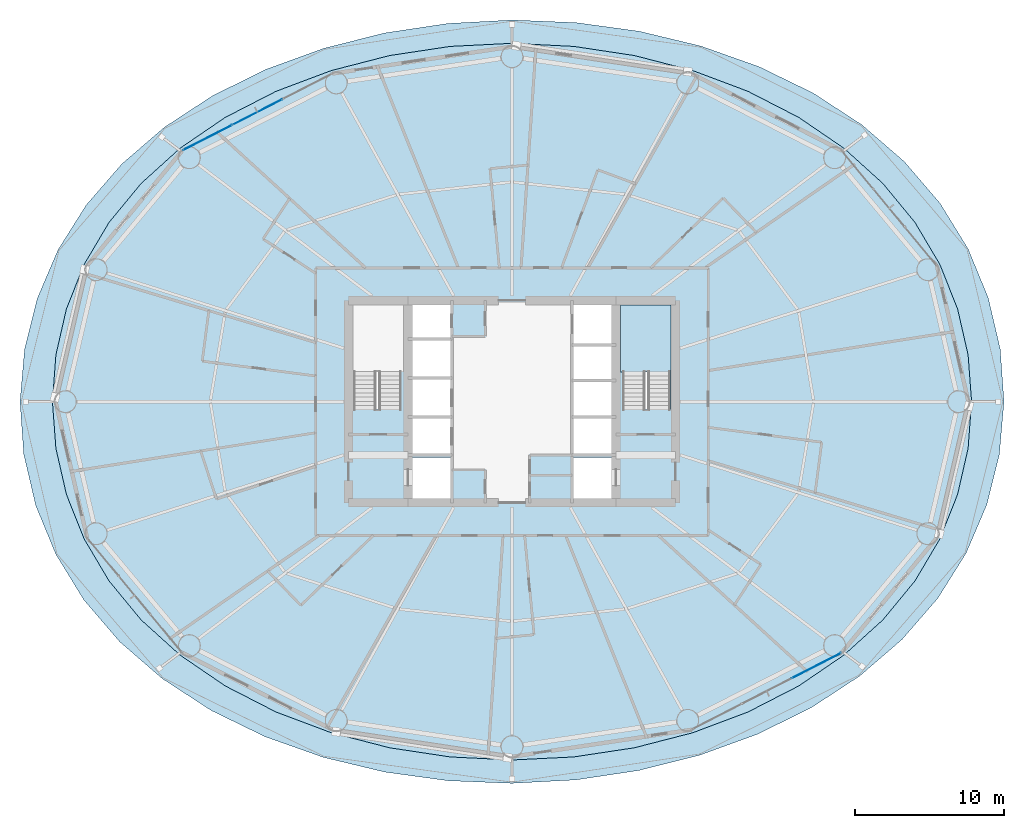
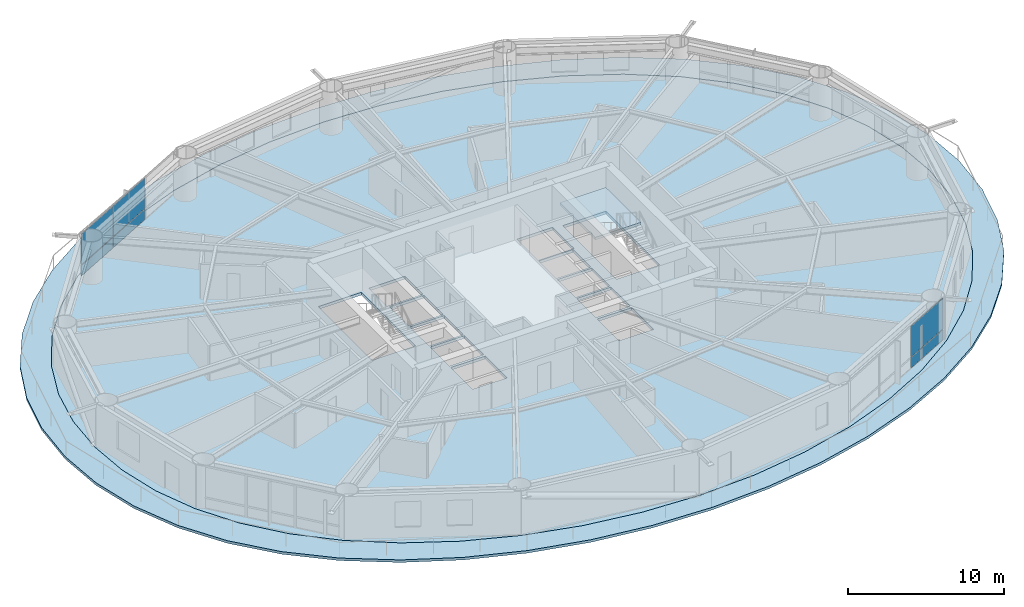
# One storey, part 17 of 26: 6 plates, 3 slabs, 3 elements without a shape of their own.
"""IFC4 building model written with IfcOpenShell, lengths in metres."""

from ifc_helpers import new_model, si_unit, direction, frame, origin, origin_2d, place, context, subcontext, project, spatial, polyline, rectangle, outline, extrude, material, layer, layer_set, type_object, element, aggregate, save


model = new_model("IFC4")

# Units and contexts
model_context = context("Model", 3, precision=1e-05, world=origin(), true_north=direction((0.0, 1.0)))
body_context = subcontext(model_context, "Body", "Model", "MODEL_VIEW")
ifc_project = project(units=[si_unit("LENGTHUNIT", "METRE"), si_unit("AREAUNIT", "SQUARE_METRE"), si_unit("VOLUMEUNIT", "CUBIC_METRE"), si_unit("PLANEANGLEUNIT", "RADIAN"), si_unit("MASSUNIT", "GRAM", prefix="KILO")], contexts=[model_context])

# Site, building, storey
site_placement = place(None, origin())
site = spatial("IfcSite", under=ifc_project, at=site_placement, CompositionType="ELEMENT")
building_placement = place(site_placement, origin())
building = spatial("IfcBuilding", under=site, at=building_placement, Name="Sarneth Arch Tower", CompositionType="ELEMENT")
storey_placement = place(building_placement, frame((0.0, 0.0, 64.199951171875)))
storey = spatial("IfcBuildingStorey", under=building, at=storey_placement, Name="L15", CompositionType="ELEMENT", Elevation=64.199951171875)

# Curtain wall, plates
ifc_material_1 = material(Name="Anodised aluminium Type AA25 and solar-control low-e laminated IGU", Category="aluminium")
ifc_layer_1 = layer(ifc_material_1, 0.159912109375)
ifc_layer_set_1 = layer_set([ifc_layer_1], Name="Anodised aluminium Type AA25 and solar-control low-e laminated IGU")
curtain_wall_type = type_object("IfcCurtainWallType", Name="CW-HOTEL-LOW", PredefinedType="NOTDEFINED", material=ifc_layer_set_1)
curtain_wall_1_placement = place(storey_placement, origin())
curtain_wall_1 = element("IfcCurtainWall", 1, at=curtain_wall_1_placement, inside=storey, type_object=curtain_wall_type, Name="L15 Unitised curtain wall facet 06", PredefinedType="NOTDEFINED")
ifc_material_2 = material(Name="Solar-control low-e laminated IGU", Category="glass")
ifc_layer_2 = layer(ifc_material_2, 0.028076171875)
ifc_layer_set_2 = layer_set([ifc_layer_2], Name="Solar-control low-e laminated IGU")
plate_type = type_object("IfcPlateType", Name="CW-PANEL", PredefinedType="CURTAIN_PANEL", material=ifc_layer_set_2)
plate_1_placement = place(storey_placement, frame((30.8740234375, 61.473876953125, 0.06005859375), z_axis=(0.0, 0.0, 1.0), x_axis=(-0.889854100456, -0.456245197127, 0.0)))
plate_1 = element("IfcPlate", 2, at=plate_1_placement, type_object=plate_type, Name="Curtain wall glazed vision pane CW-L15-F06/P01-00", PredefinedType="CURTAIN_PANEL", context=body_context, shape_type="SweptSolid", body=[
    extrude(rectangle(XDim=3.721923828125, YDim=0.028076171875, at=origin_2d()), origin(), (0.0, 0.0, 1.0), 0.81005859375),
])
plate_2_placement = place(storey_placement, frame((30.8740234375, 61.473876953125, 0.93017578125), z_axis=(0.0, 0.0, 1.0), x_axis=(-0.889854100456, -0.456245197127, 0.0)))
plate_2 = element("IfcPlate", 3, at=plate_2_placement, type_object=plate_type, Name="Curtain wall glazed vision pane CW-L15-F06/P01-01", PredefinedType="CURTAIN_PANEL", context=body_context, shape_type="SweptSolid", body=[
    extrude(rectangle(XDim=3.721923828125, YDim=0.028076171875, at=origin_2d()), origin(), (0.0, 0.0, 1.0), 2.389892578125),
])
plate_3_placement = place(storey_placement, frame((27.52197265625, 59.75537109375, 0.06005859375), z_axis=(0.0, 0.0, 1.0), x_axis=(-0.889854100456, -0.456245197127, 0.0)))
plate_3 = element("IfcPlate", 4, at=plate_3_placement, type_object=plate_type, Name="Curtain wall glazed vision pane CW-L15-F06/P02-00", PredefinedType="CURTAIN_PANEL", context=body_context, shape_type="SweptSolid", body=[
    extrude(rectangle(XDim=3.69189453125, YDim=0.028076171875, at=origin_2d()), origin(), (0.0, 0.0, 1.0), 0.81005859375),
])
plate_4_placement = place(storey_placement, frame((27.52197265625, 59.75537109375, 0.93017578125), z_axis=(0.0, 0.0, 1.0), x_axis=(-0.889854100456, -0.456245197127, 0.0)))
plate_4 = element("IfcPlate", 5, at=plate_4_placement, type_object=plate_type, Name="Curtain wall glazed vision pane CW-L15-F06/P02-01", PredefinedType="CURTAIN_PANEL", context=body_context, shape_type="SweptSolid", body=[
    extrude(rectangle(XDim=3.69189453125, YDim=0.028076171875, at=origin_2d()), origin(), (0.0, 0.0, 1.0), 2.389892578125),
])
aggregate(curtain_wall_1, [plate_1, plate_2, plate_3, plate_4])

curtain_wall_2_placement = place(storey_placement, origin())
curtain_wall_2 = element("IfcCurtainWall", 6, at=curtain_wall_2_placement, inside=storey, type_object=curtain_wall_type, Name="L15 Unitised curtain wall facet 14", PredefinedType="NOTDEFINED")
plate_5_placement = place(storey_placement, frame((68.47802734375, 24.24462890625, 0.06005859375), z_axis=(0.0, 0.0, 1.0), x_axis=(0.889854100456, 0.456245197127, 0.0)))
plate_5 = element("IfcPlate", 7, at=plate_5_placement, type_object=plate_type, Name="Curtain wall glazed vision pane CW-L15-F14/P02-00", PredefinedType="CURTAIN_PANEL", context=body_context, shape_type="SweptSolid", body=[
    extrude(rectangle(XDim=3.69189453125, YDim=0.028076171875, at=origin_2d()), origin(), (0.0, 0.0, 1.0), 0.81005859375),
])
plate_6_placement = place(storey_placement, frame((68.47802734375, 24.24462890625, 0.93017578125), z_axis=(0.0, 0.0, 1.0), x_axis=(0.889854100456, 0.456245197127, 0.0)))
plate_6 = element("IfcPlate", 8, at=plate_6_placement, type_object=plate_type, Name="Curtain wall glazed vision pane CW-L15-F14/P02-01", PredefinedType="CURTAIN_PANEL", context=body_context, shape_type="SweptSolid", body=[
    extrude(rectangle(XDim=3.69189453125, YDim=0.028076171875, at=origin_2d()), origin(), (0.0, 0.0, 1.0), 2.389892578125),
])
aggregate(curtain_wall_2, [plate_5, plate_6])

# Slab
ifc_material_3 = material(Name="Concrete C50/60", Category="concrete")
ifc_layer_3 = layer(ifc_material_3, 0.199951171875)
ifc_layer_set_3 = layer_set([ifc_layer_3], Name="Concrete C50/60")
slab_type_1 = type_object("IfcSlabType", Name="SLAB-BALC-200", PredefinedType="FLOOR", material=ifc_layer_set_3)
slab_1_placement = place(storey_placement, frame((0.0, 0.0, -0.199951171875)))
element("IfcSlab", 9, at=slab_1_placement, inside=storey, type_object=slab_type_1, Name="L15 Helical balcony band slab", PredefinedType="FLOOR", context=body_context, shape_type="SweptSolid", body=[
    extrude(outline(polyline([(81.090087890625, 42.0), (80.839599609375, 45.5322265625), (80.031494140625, 48.9853515625), (78.674560546875, 52.27978515625), (76.785400390625, 55.35009765625), (74.38916015625, 58.145751953125), (71.52294921875, 60.628173828125), (68.23828125, 62.766845703125), (64.60009765625, 64.537841796875), (60.68212890625, 65.923583984375), (56.56103515625, 66.91162109375), (52.310302734375, 67.49462890625), (48.0, 67.669677734375), (43.6953125, 67.4375), (39.461181640625, 66.802734375), (35.364990234375, 65.7734375), (31.47705078125, 64.361328125), (27.869384765625, 62.5810546875), (24.61083984375, 60.45068359375), (21.760986328125, 57.9921875), (19.36669921875, 55.232177734375), (17.462646484375, 52.203125), (16.072998046875, 48.947509765625), (15.217041015625, 45.52197265625), (14.909912109375, 42.0), (15.160400390625, 38.4677734375), (15.968505859375, 35.0146484375), (17.325439453125, 31.72021484375), (19.214599609375, 28.64990234375), (21.61083984375, 25.854248046875), (24.47705078125, 23.371826171875), (27.76171875, 21.233154296875), (31.39990234375, 19.462158203125), (35.31787109375, 18.076416015625), (39.43896484375, 17.08837890625), (43.689697265625, 16.50537109375), (48.0, 16.330322265625), (52.3046875, 16.5625), (56.538818359375, 17.197265625), (60.635009765625, 18.2265625), (64.52294921875, 19.638671875), (68.130615234375, 21.4189453125), (71.38916015625, 23.54931640625), (74.239013671875, 26.0078125), (76.63330078125, 28.767822265625), (78.537353515625, 31.796875), (79.927001953125, 35.052490234375), (80.782958984375, 38.47802734375), (81.090087890625, 42.0)]), holes=[polyline([(78.90966796875, 42.0), (78.675048828125, 45.145751953125), (77.9677734375, 48.237548828125), (76.780029296875, 51.22265625), (75.10595703125, 54.050048828125), (72.94873046875, 56.671142578125), (70.32861328125, 59.041259765625), (67.2841796875, 61.119873046875), (63.8720703125, 62.87109375), (60.162109375, 64.265380859375), (56.2294921875, 65.27880859375), (52.150634765625, 65.893798828125), (48.0, 66.10009765625), (43.849365234375, 65.893798828125), (39.7705078125, 65.27880859375), (35.837890625, 64.265380859375), (32.1279296875, 62.87109375), (28.7158203125, 61.119873046875), (25.67138671875, 59.041259765625), (23.05126953125, 56.671142578125), (20.89404296875, 54.050048828125), (19.219970703125, 51.22265625), (18.0322265625, 48.237548828125), (17.324951171875, 45.145751953125), (17.09033203125, 42.0), (17.324951171875, 38.854248046875), (18.0322265625, 35.762451171875), (19.219970703125, 32.77734375), (20.89404296875, 29.949951171875), (23.05126953125, 27.328857421875), (25.67138671875, 24.958740234375), (28.7158203125, 22.880126953125), (32.1279296875, 21.12890625), (35.837890625, 19.734619140625), (39.7705078125, 18.72119140625), (43.849365234375, 18.106201171875), (48.0, 17.89990234375), (52.150634765625, 18.106201171875), (56.2294921875, 18.72119140625), (60.162109375, 19.734619140625), (63.8720703125, 21.12890625), (67.2841796875, 22.880126953125), (70.32861328125, 24.958740234375), (72.94873046875, 27.328857421875), (75.10595703125, 29.949951171875), (76.780029296875, 32.77734375), (77.9677734375, 35.762451171875), (78.675048828125, 38.854248046875), (78.90966796875, 42.0)])]), origin(), (0.0, 0.0, 1.0), 0.199951171875),
])

# Stair, slab
ifc_material_4 = material(Name="Concrete C50/60", Category="concrete")
stair_type = type_object("IfcStairType", Name="STAIR-CORE-RC", PredefinedType="HALF_TURN_STAIR", material=ifc_material_4)
stair_placement = place(storey_placement, origin())
stair = element("IfcStair", 10, at=stair_placement, inside=storey, type_object=stair_type, Name="L15 Core Exit Stair 2", PredefinedType="HALF_TURN_STAIR")
ifc_material_5 = material(Name="Concrete C50/60", Category="concrete")
ifc_layer_4 = layer(ifc_material_5, 0.199951171875)
ifc_layer_set_4 = layer_set([ifc_layer_4], Name="Concrete C50/60")
slab_type_2 = type_object("IfcSlabType", Name="SLAB-LANDING-200", PredefinedType="LANDING", material=ifc_layer_set_4)
slab_2_placement = place(storey_placement, frame((0.0, 0.0, 1.60009765625)))
slab_2 = element("IfcSlab", 11, at=slab_2_placement, type_object=slab_type_2, Name="ST-2 landing 1", PredefinedType="LANDING", context=body_context, shape_type="SweptSolid", body=[
    extrude(outline(polyline([(55.300048828125, 43.985107421875), (58.699951171875, 43.985107421875), (58.699951171875, 48.5), (55.300048828125, 48.5), (55.300048828125, 43.985107421875)])), origin(), (0.0, 0.0, 1.0), 0.199951171875),
])
aggregate(stair, [slab_2])

# Slab
ifc_material_6 = material(Name="Concrete C50/60", Category="concrete")
ifc_layer_5 = layer(ifc_material_6, 0.219970703125)
ifc_layer_set_5 = layer_set([ifc_layer_5], Name="Concrete C50/60")
slab_type_3 = type_object("IfcSlabType", Name="SLAB-TOWER-220", PredefinedType="FLOOR", material=ifc_layer_set_5)
slab_3_placement = place(storey_placement, frame((0.0, 0.0, -0.219970703125)))
element("IfcSlab", 12, at=slab_3_placement, inside=storey, type_object=slab_type_3, Name="L15 Elliptical floor slab", PredefinedType="FLOOR", context=body_context, shape_type="SweptSolid", body=[
    extrude(outline(polyline([(78.90966796875, 42.0), (78.675048828125, 45.145751953125), (77.9677734375, 48.237548828125), (76.780029296875, 51.22265625), (75.10595703125, 54.050048828125), (72.94873046875, 56.671142578125), (70.32861328125, 59.041259765625), (67.2841796875, 61.119873046875), (63.8720703125, 62.87109375), (60.162109375, 64.265380859375), (56.2294921875, 65.27880859375), (52.150634765625, 65.893798828125), (48.0, 66.10009765625), (43.849365234375, 65.893798828125), (39.7705078125, 65.27880859375), (35.837890625, 64.265380859375), (32.1279296875, 62.87109375), (28.7158203125, 61.119873046875), (25.67138671875, 59.041259765625), (23.05126953125, 56.671142578125), (20.89404296875, 54.050048828125), (19.219970703125, 51.22265625), (18.0322265625, 48.237548828125), (17.324951171875, 45.145751953125), (17.09033203125, 42.0), (17.324951171875, 38.854248046875), (18.0322265625, 35.762451171875), (19.219970703125, 32.77734375), (20.89404296875, 29.949951171875), (23.05126953125, 27.328857421875), (25.67138671875, 24.958740234375), (28.7158203125, 22.880126953125), (32.1279296875, 21.12890625), (35.837890625, 19.734619140625), (39.7705078125, 18.72119140625), (43.849365234375, 18.106201171875), (48.0, 17.89990234375), (52.150634765625, 18.106201171875), (56.2294921875, 18.72119140625), (60.162109375, 19.734619140625), (63.8720703125, 21.12890625), (67.2841796875, 22.880126953125), (70.32861328125, 24.958740234375), (72.94873046875, 27.328857421875), (75.10595703125, 29.949951171875), (76.780029296875, 32.77734375), (77.9677734375, 35.762451171875), (78.675048828125, 38.854248046875), (78.90966796875, 42.0)]), holes=[polyline([(37.35009765625, 41.489990234375), (40.550048828125, 41.489990234375), (40.550048828125, 48.39990234375), (37.35009765625, 48.39990234375), (37.35009765625, 41.489990234375)]), polyline([(55.449951171875, 41.489990234375), (58.64990234375, 41.489990234375), (58.64990234375, 48.39990234375), (55.449951171875, 48.39990234375), (55.449951171875, 41.489990234375)]), polyline([(41.199951171875, 46.25), (43.85009765625, 46.25), (43.85009765625, 48.550048828125), (41.199951171875, 48.550048828125), (41.199951171875, 46.25)]), polyline([(41.300048828125, 35.449951171875), (43.85009765625, 35.449951171875), (43.85009765625, 38.25), (41.300048828125, 38.25), (41.300048828125, 35.449951171875)]), polyline([(52.14990234375, 35.449951171875), (54.699951171875, 35.449951171875), (54.699951171875, 38.25), (52.14990234375, 38.25), (52.14990234375, 35.449951171875)]), polyline([(52.14990234375, 45.85009765625), (54.800048828125, 45.85009765625), (54.800048828125, 48.550048828125), (52.14990234375, 48.550048828125), (52.14990234375, 45.85009765625)]), polyline([(41.300048828125, 38.449951171875), (43.85009765625, 38.449951171875), (43.85009765625, 40.89990234375), (41.300048828125, 40.89990234375), (41.300048828125, 38.449951171875)]), polyline([(41.300048828125, 41.050048828125), (43.85009765625, 41.050048828125), (43.85009765625, 43.5), (41.300048828125, 43.5), (41.300048828125, 41.050048828125)]), polyline([(41.300048828125, 43.64990234375), (43.85009765625, 43.64990234375), (43.85009765625, 46.10009765625), (41.300048828125, 46.10009765625), (41.300048828125, 43.64990234375)]), polyline([(52.14990234375, 38.449951171875), (54.699951171875, 38.449951171875), (54.699951171875, 40.89990234375), (52.14990234375, 40.89990234375), (52.14990234375, 38.449951171875)]), polyline([(52.14990234375, 41.050048828125), (54.699951171875, 41.050048828125), (54.699951171875, 43.35009765625), (52.14990234375, 43.35009765625), (52.14990234375, 41.050048828125)]), polyline([(52.14990234375, 43.5), (54.699951171875, 43.5), (54.699951171875, 45.75), (52.14990234375, 45.75), (52.14990234375, 43.5)])]), origin(), (0.0, 0.0, 1.0), 0.219970703125),
])

save(model, "model.ifc")
